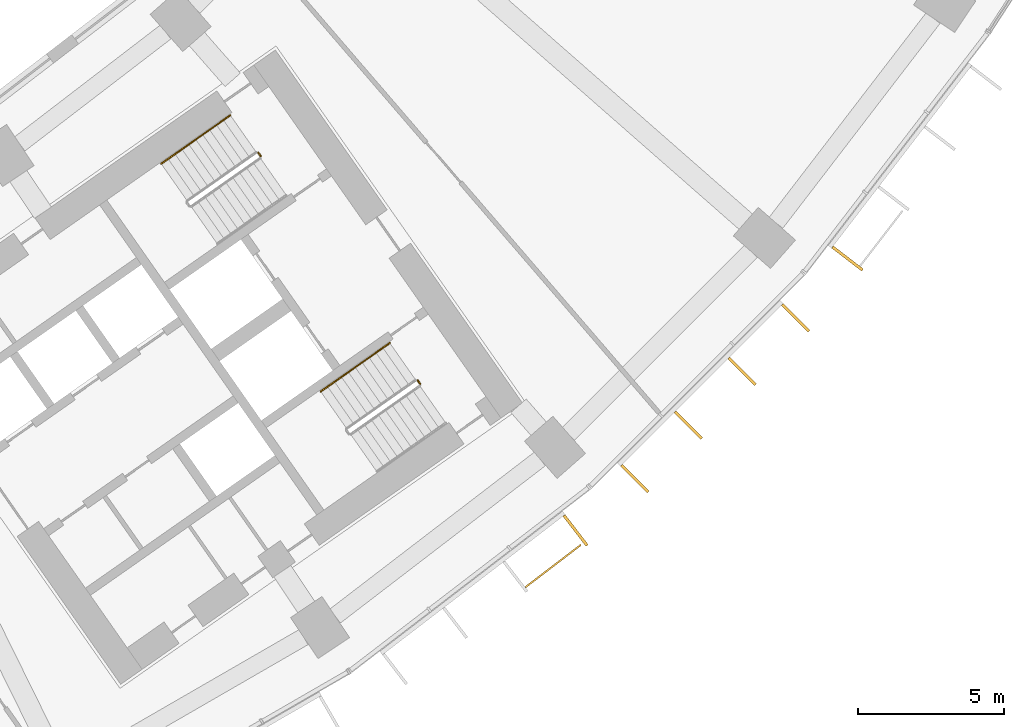
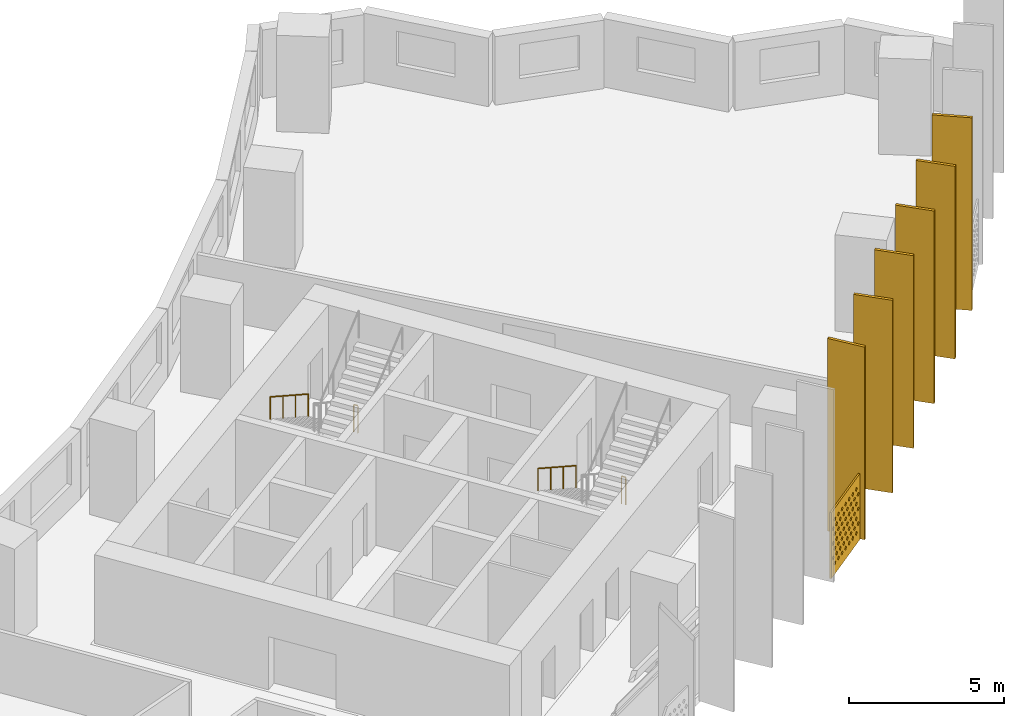
# One storey, part 30 of 31: 7 shading devices, 4 railings.
"""IFC4 building model written with IfcOpenShell, lengths in metres."""

from ifc_helpers import new_model, si_unit, direction, frame, origin, origin_2d, place, context, subcontext, project, spatial, polyline, rectangle, circle, outline, extrude, material, material_profile, profile_set, type_object, element, save


model = new_model("IFC4")

# Units and contexts
model_context = context("Model", 3, precision=1e-05, world=origin(), true_north=direction((0.0, 1.0)))
body_context = subcontext(model_context, "Body", "Model", "MODEL_VIEW")
ifc_project = project(units=[si_unit("LENGTHUNIT", "METRE"), si_unit("AREAUNIT", "SQUARE_METRE"), si_unit("VOLUMEUNIT", "CUBIC_METRE"), si_unit("PLANEANGLEUNIT", "RADIAN"), si_unit("MASSUNIT", "GRAM", prefix="KILO")], contexts=[model_context])

# Site, building, storey
site_placement = place(None, origin())
site = spatial("IfcSite", under=ifc_project, at=site_placement, CompositionType="ELEMENT")
building_placement = place(site_placement, origin())
building = spatial("IfcBuilding", under=site, at=building_placement, Name="Qamariyya Broadcast Tower", CompositionType="ELEMENT")
storey_placement = place(building_placement, frame((0.0, 0.0, 48.10009765625)))
storey = spatial("IfcBuildingStorey", under=building, at=storey_placement, Name="L08", CompositionType="ELEMENT", Elevation=48.10009765625)

# Shading device
ifc_material_1 = material(Name="Perforated glazed terracotta", Category="masonry")
ifc_material_profile_1 = material_profile(ifc_material_1, outline(polyline([(-1.199951171875, -1.300048828125), (1.199951171875, -1.300048828125), (1.199951171875, 1.300048828125), (-1.199951171875, 1.300048828125), (-1.199951171875, -1.300048828125)]), holes=[polyline([(-0.81494140625, -0.86669921875), (-0.89990234375, -0.78173828125), (-0.985107421875, -0.86669921875), (-0.89990234375, -0.95166015625), (-0.81494140625, -0.86669921875)]), polyline([(-0.514892578125, -0.86669921875), (-0.60009765625, -0.78173828125), (-0.68505859375, -0.86669921875), (-0.60009765625, -0.95166015625), (-0.514892578125, -0.86669921875)]), polyline([(-0.215087890625, -0.86669921875), (-0.300048828125, -0.78173828125), (-0.385009765625, -0.86669921875), (-0.300048828125, -0.95166015625), (-0.215087890625, -0.86669921875)]), polyline([(0.0849609375, -0.86669921875), (0.0, -0.78173828125), (-0.0849609375, -0.86669921875), (0.0, -0.95166015625), (0.0849609375, -0.86669921875)]), polyline([(0.385009765625, -0.86669921875), (0.300048828125, -0.78173828125), (0.215087890625, -0.86669921875), (0.300048828125, -0.95166015625), (0.385009765625, -0.86669921875)]), polyline([(0.68505859375, -0.86669921875), (0.60009765625, -0.78173828125), (0.514892578125, -0.86669921875), (0.60009765625, -0.95166015625), (0.68505859375, -0.86669921875)]), polyline([(0.985107421875, -0.86669921875), (0.89990234375, -0.78173828125), (0.81494140625, -0.86669921875), (0.89990234375, -0.95166015625), (0.985107421875, -0.86669921875)]), polyline([(-0.965087890625, -0.577880859375), (-1.050048828125, -0.49267578125), (-1.135009765625, -0.577880859375), (-1.050048828125, -0.662841796875), (-0.965087890625, -0.577880859375)]), polyline([(-0.6650390625, -0.577880859375), (-0.75, -0.49267578125), (-0.8349609375, -0.577880859375), (-0.75, -0.662841796875), (-0.6650390625, -0.577880859375)]), polyline([(-0.364990234375, -0.577880859375), (-0.449951171875, -0.49267578125), (-0.534912109375, -0.577880859375), (-0.449951171875, -0.662841796875), (-0.364990234375, -0.577880859375)]), polyline([(-0.06494140625, -0.577880859375), (-0.14990234375, -0.49267578125), (-0.235107421875, -0.577880859375), (-0.14990234375, -0.662841796875), (-0.06494140625, -0.577880859375)]), polyline([(0.235107421875, -0.577880859375), (0.14990234375, -0.49267578125), (0.06494140625, -0.577880859375), (0.14990234375, -0.662841796875), (0.235107421875, -0.577880859375)]), polyline([(0.534912109375, -0.577880859375), (0.449951171875, -0.49267578125), (0.364990234375, -0.577880859375), (0.449951171875, -0.662841796875), (0.534912109375, -0.577880859375)]), polyline([(0.8349609375, -0.577880859375), (0.75, -0.49267578125), (0.6650390625, -0.577880859375), (0.75, -0.662841796875), (0.8349609375, -0.577880859375)]), polyline([(1.135009765625, -0.577880859375), (1.050048828125, -0.49267578125), (0.965087890625, -0.577880859375), (1.050048828125, -0.662841796875), (1.135009765625, -0.577880859375)]), polyline([(-0.81494140625, -0.288818359375), (-0.89990234375, -0.203857421875), (-0.985107421875, -0.288818359375), (-0.89990234375, -0.373779296875), (-0.81494140625, -0.288818359375)]), polyline([(-0.514892578125, -0.288818359375), (-0.60009765625, -0.203857421875), (-0.68505859375, -0.288818359375), (-0.60009765625, -0.373779296875), (-0.514892578125, -0.288818359375)]), polyline([(-0.215087890625, -0.288818359375), (-0.300048828125, -0.203857421875), (-0.385009765625, -0.288818359375), (-0.300048828125, -0.373779296875), (-0.215087890625, -0.288818359375)]), polyline([(0.0849609375, -0.288818359375), (0.0, -0.203857421875), (-0.0849609375, -0.288818359375), (0.0, -0.373779296875), (0.0849609375, -0.288818359375)]), polyline([(0.385009765625, -0.288818359375), (0.300048828125, -0.203857421875), (0.215087890625, -0.288818359375), (0.300048828125, -0.373779296875), (0.385009765625, -0.288818359375)]), polyline([(0.68505859375, -0.288818359375), (0.60009765625, -0.203857421875), (0.514892578125, -0.288818359375), (0.60009765625, -0.373779296875), (0.68505859375, -0.288818359375)]), polyline([(0.985107421875, -0.288818359375), (0.89990234375, -0.203857421875), (0.81494140625, -0.288818359375), (0.89990234375, -0.373779296875), (0.985107421875, -0.288818359375)]), polyline([(-0.965087890625, 0.0), (-1.050048828125, 0.0849609375), (-1.135009765625, 0.0), (-1.050048828125, -0.0849609375), (-0.965087890625, 0.0)]), polyline([(-0.6650390625, 0.0), (-0.75, 0.0849609375), (-0.8349609375, 0.0), (-0.75, -0.0849609375), (-0.6650390625, 0.0)]), polyline([(-0.364990234375, 0.0), (-0.449951171875, 0.0849609375), (-0.534912109375, 0.0), (-0.449951171875, -0.0849609375), (-0.364990234375, 0.0)]), polyline([(-0.06494140625, 0.0), (-0.14990234375, 0.0849609375), (-0.235107421875, 0.0), (-0.14990234375, -0.0849609375), (-0.06494140625, 0.0)]), polyline([(0.235107421875, 0.0), (0.14990234375, 0.0849609375), (0.06494140625, 0.0), (0.14990234375, -0.0849609375), (0.235107421875, 0.0)]), polyline([(0.534912109375, 0.0), (0.449951171875, 0.0849609375), (0.364990234375, 0.0), (0.449951171875, -0.0849609375), (0.534912109375, 0.0)]), polyline([(0.8349609375, 0.0), (0.75, 0.0849609375), (0.6650390625, 0.0), (0.75, -0.0849609375), (0.8349609375, 0.0)]), polyline([(1.135009765625, 0.0), (1.050048828125, 0.0849609375), (0.965087890625, 0.0), (1.050048828125, -0.0849609375), (1.135009765625, 0.0)]), polyline([(-0.81494140625, 0.288818359375), (-0.89990234375, 0.373779296875), (-0.985107421875, 0.288818359375), (-0.89990234375, 0.203857421875), (-0.81494140625, 0.288818359375)]), polyline([(-0.514892578125, 0.288818359375), (-0.60009765625, 0.373779296875), (-0.68505859375, 0.288818359375), (-0.60009765625, 0.203857421875), (-0.514892578125, 0.288818359375)]), polyline([(-0.215087890625, 0.288818359375), (-0.300048828125, 0.373779296875), (-0.385009765625, 0.288818359375), (-0.300048828125, 0.203857421875), (-0.215087890625, 0.288818359375)]), polyline([(0.0849609375, 0.288818359375), (0.0, 0.373779296875), (-0.0849609375, 0.288818359375), (0.0, 0.203857421875), (0.0849609375, 0.288818359375)]), polyline([(0.385009765625, 0.288818359375), (0.300048828125, 0.373779296875), (0.215087890625, 0.288818359375), (0.300048828125, 0.203857421875), (0.385009765625, 0.288818359375)]), polyline([(0.68505859375, 0.288818359375), (0.60009765625, 0.373779296875), (0.514892578125, 0.288818359375), (0.60009765625, 0.203857421875), (0.68505859375, 0.288818359375)]), polyline([(0.985107421875, 0.288818359375), (0.89990234375, 0.373779296875), (0.81494140625, 0.288818359375), (0.89990234375, 0.203857421875), (0.985107421875, 0.288818359375)]), polyline([(-0.965087890625, 0.577880859375), (-1.050048828125, 0.662841796875), (-1.135009765625, 0.577880859375), (-1.050048828125, 0.49267578125), (-0.965087890625, 0.577880859375)]), polyline([(-0.6650390625, 0.577880859375), (-0.75, 0.662841796875), (-0.8349609375, 0.577880859375), (-0.75, 0.49267578125), (-0.6650390625, 0.577880859375)]), polyline([(-0.364990234375, 0.577880859375), (-0.449951171875, 0.662841796875), (-0.534912109375, 0.577880859375), (-0.449951171875, 0.49267578125), (-0.364990234375, 0.577880859375)]), polyline([(-0.06494140625, 0.577880859375), (-0.14990234375, 0.662841796875), (-0.235107421875, 0.577880859375), (-0.14990234375, 0.49267578125), (-0.06494140625, 0.577880859375)]), polyline([(0.235107421875, 0.577880859375), (0.14990234375, 0.662841796875), (0.06494140625, 0.577880859375), (0.14990234375, 0.49267578125), (0.235107421875, 0.577880859375)]), polyline([(0.534912109375, 0.577880859375), (0.449951171875, 0.662841796875), (0.364990234375, 0.577880859375), (0.449951171875, 0.49267578125), (0.534912109375, 0.577880859375)]), polyline([(0.8349609375, 0.577880859375), (0.75, 0.662841796875), (0.6650390625, 0.577880859375), (0.75, 0.49267578125), (0.8349609375, 0.577880859375)]), polyline([(1.135009765625, 0.577880859375), (1.050048828125, 0.662841796875), (0.965087890625, 0.577880859375), (1.050048828125, 0.49267578125), (1.135009765625, 0.577880859375)]), polyline([(-0.81494140625, 0.86669921875), (-0.89990234375, 0.95166015625), (-0.985107421875, 0.86669921875), (-0.89990234375, 0.78173828125), (-0.81494140625, 0.86669921875)]), polyline([(-0.514892578125, 0.86669921875), (-0.60009765625, 0.95166015625), (-0.68505859375, 0.86669921875), (-0.60009765625, 0.78173828125), (-0.514892578125, 0.86669921875)]), polyline([(-0.215087890625, 0.86669921875), (-0.300048828125, 0.95166015625), (-0.385009765625, 0.86669921875), (-0.300048828125, 0.78173828125), (-0.215087890625, 0.86669921875)]), polyline([(0.0849609375, 0.86669921875), (0.0, 0.95166015625), (-0.0849609375, 0.86669921875), (0.0, 0.78173828125), (0.0849609375, 0.86669921875)]), polyline([(0.385009765625, 0.86669921875), (0.300048828125, 0.95166015625), (0.215087890625, 0.86669921875), (0.300048828125, 0.78173828125), (0.385009765625, 0.86669921875)]), polyline([(0.68505859375, 0.86669921875), (0.60009765625, 0.95166015625), (0.514892578125, 0.86669921875), (0.60009765625, 0.78173828125), (0.68505859375, 0.86669921875)]), polyline([(0.985107421875, 0.86669921875), (0.89990234375, 0.95166015625), (0.81494140625, 0.86669921875), (0.89990234375, 0.78173828125), (0.985107421875, 0.86669921875)])]))
ifc_profile_set_1 = profile_set([ifc_material_profile_1], Name="Perforated glazed terracotta")
shading_device_type_1 = type_object("IfcShadingDeviceType", Name="Perforated terracotta screen 2400 x 2600", PredefinedType="USERDEFINED", material=ifc_profile_set_1)
shading_device_placement = place(storey_placement, frame((51.18212890625, -62.509033203125, 1.349853515625), z_axis=(0.607147566278, -0.794589096806, 0.0), x_axis=(0.794589096806, 0.607147566278, 0.0)))
element("IfcShadingDevice", 1, at=shading_device_placement, inside=storey, type_object=shading_device_type_1, Name="e-scr-L08-13-2", ObjectType="SCREEN", PredefinedType="USERDEFINED", context=body_context, shape_type="SweptSolid", body=[
    extrude(outline(polyline([(-1.199951171875, -1.300048828125), (1.199951171875, -1.300048828125), (1.199951171875, 1.300048828125), (-1.199951171875, 1.300048828125), (-1.199951171875, -1.300048828125)]), holes=[polyline([(-0.81494140625, -0.86669921875), (-0.89990234375, -0.78173828125), (-0.985107421875, -0.86669921875), (-0.89990234375, -0.95166015625), (-0.81494140625, -0.86669921875)]), polyline([(-0.514892578125, -0.86669921875), (-0.60009765625, -0.78173828125), (-0.68505859375, -0.86669921875), (-0.60009765625, -0.95166015625), (-0.514892578125, -0.86669921875)]), polyline([(-0.215087890625, -0.86669921875), (-0.300048828125, -0.78173828125), (-0.385009765625, -0.86669921875), (-0.300048828125, -0.95166015625), (-0.215087890625, -0.86669921875)]), polyline([(0.0849609375, -0.86669921875), (0.0, -0.78173828125), (-0.0849609375, -0.86669921875), (0.0, -0.95166015625), (0.0849609375, -0.86669921875)]), polyline([(0.385009765625, -0.86669921875), (0.300048828125, -0.78173828125), (0.215087890625, -0.86669921875), (0.300048828125, -0.95166015625), (0.385009765625, -0.86669921875)]), polyline([(0.68505859375, -0.86669921875), (0.60009765625, -0.78173828125), (0.514892578125, -0.86669921875), (0.60009765625, -0.95166015625), (0.68505859375, -0.86669921875)]), polyline([(0.985107421875, -0.86669921875), (0.89990234375, -0.78173828125), (0.81494140625, -0.86669921875), (0.89990234375, -0.95166015625), (0.985107421875, -0.86669921875)]), polyline([(-0.965087890625, -0.577880859375), (-1.050048828125, -0.49267578125), (-1.135009765625, -0.577880859375), (-1.050048828125, -0.662841796875), (-0.965087890625, -0.577880859375)]), polyline([(-0.6650390625, -0.577880859375), (-0.75, -0.49267578125), (-0.8349609375, -0.577880859375), (-0.75, -0.662841796875), (-0.6650390625, -0.577880859375)]), polyline([(-0.364990234375, -0.577880859375), (-0.449951171875, -0.49267578125), (-0.534912109375, -0.577880859375), (-0.449951171875, -0.662841796875), (-0.364990234375, -0.577880859375)]), polyline([(-0.06494140625, -0.577880859375), (-0.14990234375, -0.49267578125), (-0.235107421875, -0.577880859375), (-0.14990234375, -0.662841796875), (-0.06494140625, -0.577880859375)]), polyline([(0.235107421875, -0.577880859375), (0.14990234375, -0.49267578125), (0.06494140625, -0.577880859375), (0.14990234375, -0.662841796875), (0.235107421875, -0.577880859375)]), polyline([(0.534912109375, -0.577880859375), (0.449951171875, -0.49267578125), (0.364990234375, -0.577880859375), (0.449951171875, -0.662841796875), (0.534912109375, -0.577880859375)]), polyline([(0.8349609375, -0.577880859375), (0.75, -0.49267578125), (0.6650390625, -0.577880859375), (0.75, -0.662841796875), (0.8349609375, -0.577880859375)]), polyline([(1.135009765625, -0.577880859375), (1.050048828125, -0.49267578125), (0.965087890625, -0.577880859375), (1.050048828125, -0.662841796875), (1.135009765625, -0.577880859375)]), polyline([(-0.81494140625, -0.288818359375), (-0.89990234375, -0.203857421875), (-0.985107421875, -0.288818359375), (-0.89990234375, -0.373779296875), (-0.81494140625, -0.288818359375)]), polyline([(-0.514892578125, -0.288818359375), (-0.60009765625, -0.203857421875), (-0.68505859375, -0.288818359375), (-0.60009765625, -0.373779296875), (-0.514892578125, -0.288818359375)]), polyline([(-0.215087890625, -0.288818359375), (-0.300048828125, -0.203857421875), (-0.385009765625, -0.288818359375), (-0.300048828125, -0.373779296875), (-0.215087890625, -0.288818359375)]), polyline([(0.0849609375, -0.288818359375), (0.0, -0.203857421875), (-0.0849609375, -0.288818359375), (0.0, -0.373779296875), (0.0849609375, -0.288818359375)]), polyline([(0.385009765625, -0.288818359375), (0.300048828125, -0.203857421875), (0.215087890625, -0.288818359375), (0.300048828125, -0.373779296875), (0.385009765625, -0.288818359375)]), polyline([(0.68505859375, -0.288818359375), (0.60009765625, -0.203857421875), (0.514892578125, -0.288818359375), (0.60009765625, -0.373779296875), (0.68505859375, -0.288818359375)]), polyline([(0.985107421875, -0.288818359375), (0.89990234375, -0.203857421875), (0.81494140625, -0.288818359375), (0.89990234375, -0.373779296875), (0.985107421875, -0.288818359375)]), polyline([(-0.965087890625, 0.0), (-1.050048828125, 0.0849609375), (-1.135009765625, 0.0), (-1.050048828125, -0.0849609375), (-0.965087890625, 0.0)]), polyline([(-0.6650390625, 0.0), (-0.75, 0.0849609375), (-0.8349609375, 0.0), (-0.75, -0.0849609375), (-0.6650390625, 0.0)]), polyline([(-0.364990234375, 0.0), (-0.449951171875, 0.0849609375), (-0.534912109375, 0.0), (-0.449951171875, -0.0849609375), (-0.364990234375, 0.0)]), polyline([(-0.06494140625, 0.0), (-0.14990234375, 0.0849609375), (-0.235107421875, 0.0), (-0.14990234375, -0.0849609375), (-0.06494140625, 0.0)]), polyline([(0.235107421875, 0.0), (0.14990234375, 0.0849609375), (0.06494140625, 0.0), (0.14990234375, -0.0849609375), (0.235107421875, 0.0)]), polyline([(0.534912109375, 0.0), (0.449951171875, 0.0849609375), (0.364990234375, 0.0), (0.449951171875, -0.0849609375), (0.534912109375, 0.0)]), polyline([(0.8349609375, 0.0), (0.75, 0.0849609375), (0.6650390625, 0.0), (0.75, -0.0849609375), (0.8349609375, 0.0)]), polyline([(1.135009765625, 0.0), (1.050048828125, 0.0849609375), (0.965087890625, 0.0), (1.050048828125, -0.0849609375), (1.135009765625, 0.0)]), polyline([(-0.81494140625, 0.288818359375), (-0.89990234375, 0.373779296875), (-0.985107421875, 0.288818359375), (-0.89990234375, 0.203857421875), (-0.81494140625, 0.288818359375)]), polyline([(-0.514892578125, 0.288818359375), (-0.60009765625, 0.373779296875), (-0.68505859375, 0.288818359375), (-0.60009765625, 0.203857421875), (-0.514892578125, 0.288818359375)]), polyline([(-0.215087890625, 0.288818359375), (-0.300048828125, 0.373779296875), (-0.385009765625, 0.288818359375), (-0.300048828125, 0.203857421875), (-0.215087890625, 0.288818359375)]), polyline([(0.0849609375, 0.288818359375), (0.0, 0.373779296875), (-0.0849609375, 0.288818359375), (0.0, 0.203857421875), (0.0849609375, 0.288818359375)]), polyline([(0.385009765625, 0.288818359375), (0.300048828125, 0.373779296875), (0.215087890625, 0.288818359375), (0.300048828125, 0.203857421875), (0.385009765625, 0.288818359375)]), polyline([(0.68505859375, 0.288818359375), (0.60009765625, 0.373779296875), (0.514892578125, 0.288818359375), (0.60009765625, 0.203857421875), (0.68505859375, 0.288818359375)]), polyline([(0.985107421875, 0.288818359375), (0.89990234375, 0.373779296875), (0.81494140625, 0.288818359375), (0.89990234375, 0.203857421875), (0.985107421875, 0.288818359375)]), polyline([(-0.965087890625, 0.577880859375), (-1.050048828125, 0.662841796875), (-1.135009765625, 0.577880859375), (-1.050048828125, 0.49267578125), (-0.965087890625, 0.577880859375)]), polyline([(-0.6650390625, 0.577880859375), (-0.75, 0.662841796875), (-0.8349609375, 0.577880859375), (-0.75, 0.49267578125), (-0.6650390625, 0.577880859375)]), polyline([(-0.364990234375, 0.577880859375), (-0.449951171875, 0.662841796875), (-0.534912109375, 0.577880859375), (-0.449951171875, 0.49267578125), (-0.364990234375, 0.577880859375)]), polyline([(-0.06494140625, 0.577880859375), (-0.14990234375, 0.662841796875), (-0.235107421875, 0.577880859375), (-0.14990234375, 0.49267578125), (-0.06494140625, 0.577880859375)]), polyline([(0.235107421875, 0.577880859375), (0.14990234375, 0.662841796875), (0.06494140625, 0.577880859375), (0.14990234375, 0.49267578125), (0.235107421875, 0.577880859375)]), polyline([(0.534912109375, 0.577880859375), (0.449951171875, 0.662841796875), (0.364990234375, 0.577880859375), (0.449951171875, 0.49267578125), (0.534912109375, 0.577880859375)]), polyline([(0.8349609375, 0.577880859375), (0.75, 0.662841796875), (0.6650390625, 0.577880859375), (0.75, 0.49267578125), (0.8349609375, 0.577880859375)]), polyline([(1.135009765625, 0.577880859375), (1.050048828125, 0.662841796875), (0.965087890625, 0.577880859375), (1.050048828125, 0.49267578125), (1.135009765625, 0.577880859375)]), polyline([(-0.81494140625, 0.86669921875), (-0.89990234375, 0.95166015625), (-0.985107421875, 0.86669921875), (-0.89990234375, 0.78173828125), (-0.81494140625, 0.86669921875)]), polyline([(-0.514892578125, 0.86669921875), (-0.60009765625, 0.95166015625), (-0.68505859375, 0.86669921875), (-0.60009765625, 0.78173828125), (-0.514892578125, 0.86669921875)]), polyline([(-0.215087890625, 0.86669921875), (-0.300048828125, 0.95166015625), (-0.385009765625, 0.86669921875), (-0.300048828125, 0.78173828125), (-0.215087890625, 0.86669921875)]), polyline([(0.0849609375, 0.86669921875), (0.0, 0.95166015625), (-0.0849609375, 0.86669921875), (0.0, 0.78173828125), (0.0849609375, 0.86669921875)]), polyline([(0.385009765625, 0.86669921875), (0.300048828125, 0.95166015625), (0.215087890625, 0.86669921875), (0.300048828125, 0.78173828125), (0.385009765625, 0.86669921875)]), polyline([(0.68505859375, 0.86669921875), (0.60009765625, 0.95166015625), (0.514892578125, 0.86669921875), (0.60009765625, 0.78173828125), (0.68505859375, 0.86669921875)]), polyline([(0.985107421875, 0.86669921875), (0.89990234375, 0.95166015625), (0.81494140625, 0.86669921875), (0.89990234375, 0.78173828125), (0.985107421875, 0.86669921875)])]), origin(), (0.0, 0.0, 1.0), 0.059814453125),
])

# Railings
ifc_material_2 = material(Name="Painted steel", Category="steel")
railing_type_1 = type_object("IfcRailingType", Name="Stair guard", PredefinedType="GUARDRAIL", material=ifc_material_2)
railing_1_placement = place(storey_placement, frame((41.072998046875, -48.332275390625, 0.0)))
element("IfcRailing", 2, at=railing_1_placement, inside=storey, type_object=railing_type_1, Name="L08 ST-E2 stair guard 3", PredefinedType="GUARDRAIL", context=body_context, shape_type="SweptSolid", body=[
    extrude(circle(Radius=0.02392578125, at=origin_2d()), frame((0.0, 0.0, 1.076171875), z_axis=(0.572588637393, -0.819842821722, 0.0), x_axis=(0.819842821722, 0.572588637393, 0.0)), (0.0, 0.0, 1.0), 0.150146484375),
    extrude(circle(Radius=0.02099609375, at=origin_2d()), origin(), (0.0, 0.0, 1.0), 1.052001953125),
    extrude(circle(Radius=0.02099609375, at=origin_2d()), frame((0.0859375, -0.123046875, 0.0)), (0.0, 0.0, 1.0), 1.052001953125),
])
railing_2_placement = place(storey_placement, frame((46.550537109375, -56.1552734375, 0.0)))
element("IfcRailing", 3, at=railing_2_placement, inside=storey, type_object=railing_type_1, Name="L08 ST-E1 stair guard 3", PredefinedType="GUARDRAIL", context=body_context, shape_type="SweptSolid", body=[
    extrude(circle(Radius=0.02392578125, at=origin_2d()), frame((0.0, 0.0, 1.076171875), z_axis=(0.574444878118, -0.818543268254, 0.0), x_axis=(0.818543268254, 0.574444878118, 0.0)), (0.0, 0.0, 1.0), 0.150146484375),
    extrude(circle(Radius=0.02099609375, at=origin_2d()), origin(), (0.0, 0.0, 1.0), 1.052001953125),
    extrude(circle(Radius=0.02099609375, at=origin_2d()), frame((0.086181640625, -0.122802734375, 0.0)), (0.0, 0.0, 1.0), 1.052001953125),
])
ifc_material_3 = material(Name="Stainless steel", Category="steel")
railing_type_2 = type_object("IfcRailingType", Name="Stair handrail", PredefinedType="HANDRAIL", material=ifc_material_3)
railing_3_placement = place(storey_placement, frame((40.1142578125, -47.05029296875, 0.172607421875)))
element("IfcRailing", 4, at=railing_3_placement, inside=storey, type_object=railing_type_2, Name="L08 ST-E2 stair handrail 1", PredefinedType="HANDRAIL", context=body_context, shape_type="SweptSolid", body=[
    extrude(circle(Radius=0.02392578125, at=origin_2d()), frame((0.0, 0.0, 0.8759765625), z_axis=(-0.703745009021, -0.492838488332, 0.511715923826), x_axis=(0.573631830683, -0.819113253969, 0.0)), (0.0, 0.0, 1.0), 3.37548828125),
    extrude(circle(Radius=0.02099609375, at=origin_2d()), origin(), (0.0, 0.0, 1.0), 0.851806640625),
    extrude(circle(Radius=0.02099609375, at=origin_2d()), frame((-0.791748046875, -0.554443359375, 0.57568359375)), (0.0, 0.0, 1.0), 0.851806640625),
    extrude(circle(Radius=0.02099609375, at=origin_2d()), frame((-1.583740234375, -1.109130859375, 1.151611328125)), (0.0, 0.0, 1.0), 0.851806640625),
    extrude(circle(Radius=0.02099609375, at=origin_2d()), frame((-2.37548828125, -1.66357421875, 1.727294921875)), (0.0, 0.0, 1.0), 0.851806640625),
])
railing_4_placement = place(storey_placement, frame((45.591796875, -54.873291015625, 0.172607421875)))
element("IfcRailing", 5, at=railing_4_placement, inside=storey, type_object=railing_type_2, Name="L08 ST-E1 stair handrail 1", PredefinedType="HANDRAIL", context=body_context, shape_type="SweptSolid", body=[
    extrude(circle(Radius=0.02392578125, at=origin_2d()), frame((0.0, 0.0, 0.8759765625), z_axis=(-0.703770094002, -0.492783725636, 0.511734163933), x_axis=(0.573575343427, -0.819152809562, 0.0)), (0.0, 0.0, 1.0), 3.37548828125),
    extrude(circle(Radius=0.02099609375, at=origin_2d()), origin(), (0.0, 0.0, 1.0), 0.851806640625),
    extrude(circle(Radius=0.02099609375, at=origin_2d()), frame((-0.791748046875, -0.554443359375, 0.57568359375)), (0.0, 0.0, 1.0), 0.851806640625),
    extrude(circle(Radius=0.02099609375, at=origin_2d()), frame((-1.583740234375, -1.10888671875, 1.151611328125)), (0.0, 0.0, 1.0), 0.851806640625),
    extrude(circle(Radius=0.02099609375, at=origin_2d()), frame((-2.37548828125, -1.663330078125, 1.727294921875)), (0.0, 0.0, 1.0), 0.851806640625),
])

# Shading devices
ifc_material_4 = material(Name="Glazed terracotta", Category="masonry")
ifc_material_profile_2 = material_profile(ifc_material_4, rectangle(XDim=1.300048828125, YDim=0.10009765625, at=origin_2d()))
ifc_profile_set_2 = profile_set([ifc_material_profile_2], Name="Glazed terracotta")
shading_device_type_2 = type_object("IfcShadingDeviceType", Name="Terracotta fin 100 x 1300", PredefinedType="USERDEFINED", material=ifc_profile_set_2)
for number, where, z_axis, x_axis, name in (
    (6, (51.970703125, -61.3115234375, 0.0), (0.0, 0.0, 1.0), (0.608761429009, -0.793353340291, 0.0), "e-fin-L08-13-3"),
    (7, (54.00341796875, -59.52880859375, 0.0), (0.0, 0.0, 1.0), (0.707106781187, -0.707106781187, 0.0), "e-fin-L08-14-0"),
    (8, (55.84521484375, -57.68701171875, 0.0), (0.0, 0.0, 1.0), (0.707106781187, -0.707106781187, 0.0), "e-fin-L08-14-1"),
    (9, (57.68701171875, -55.84521484375, 0.0), (0.0, 0.0, 1.0), (0.707106781187, -0.707106781187, 0.0), "e-fin-L08-14-2"),
    (10, (59.52880859375, -54.00341796875, 0.0), (0.0, 0.0, 1.0), (0.707106781187, -0.707106781187, 0.0), "e-fin-L08-14-3"),
    (11, (61.3115234375, -51.970703125, 0.0), (0.0, 0.0, 1.0), (0.793353340291, -0.608761429009, 0.0), "e-fin-L08-15-0"),
):
    element("IfcShadingDevice", number, at=place(storey_placement, frame(where, z_axis=z_axis, x_axis=x_axis)), inside=storey, type_object=shading_device_type_2, Name=name, ObjectType="FIN", PredefinedType="USERDEFINED", context=body_context, shape_type="SweptSolid", body=[
        extrude(rectangle(XDim=1.300048828125, YDim=0.10009765625, at=origin_2d()), origin(), (0.0, 0.0, 1.0), 7.599853515625),
    ])

save(model, "model.ifc")
